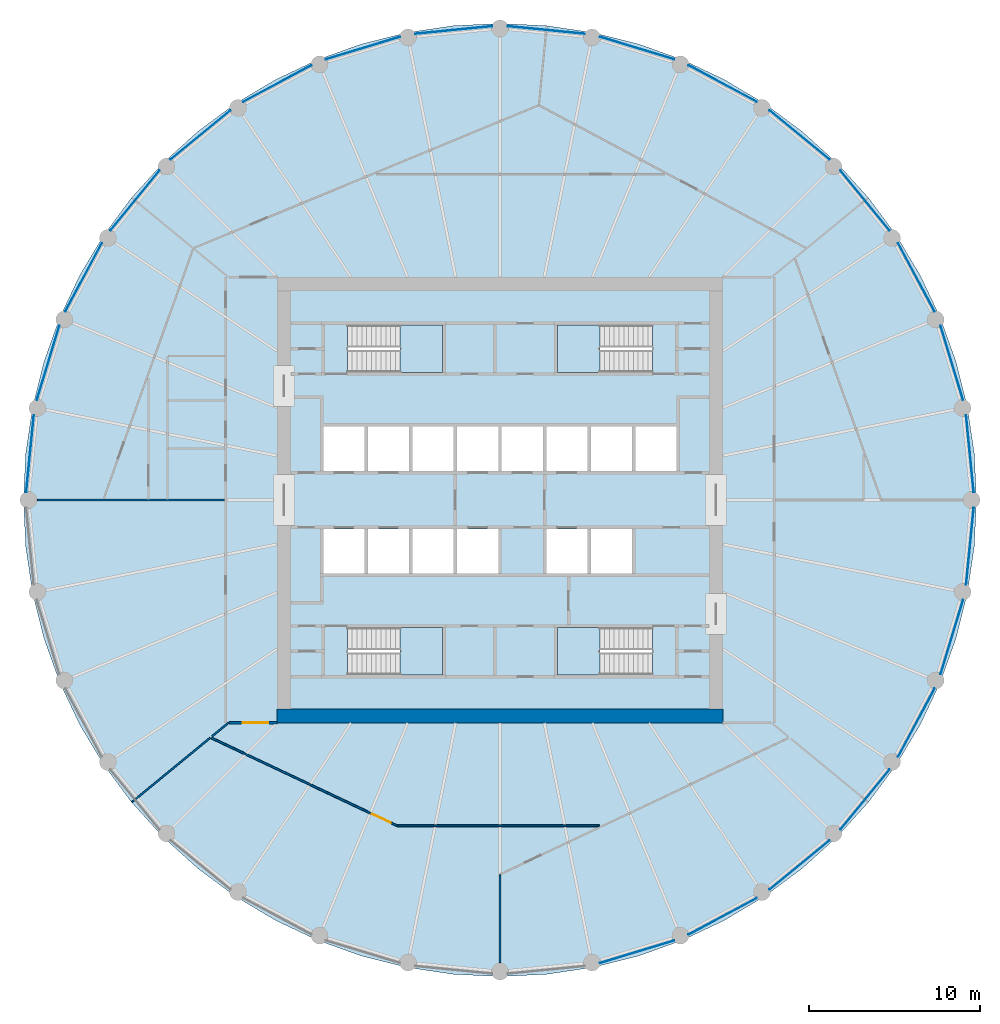
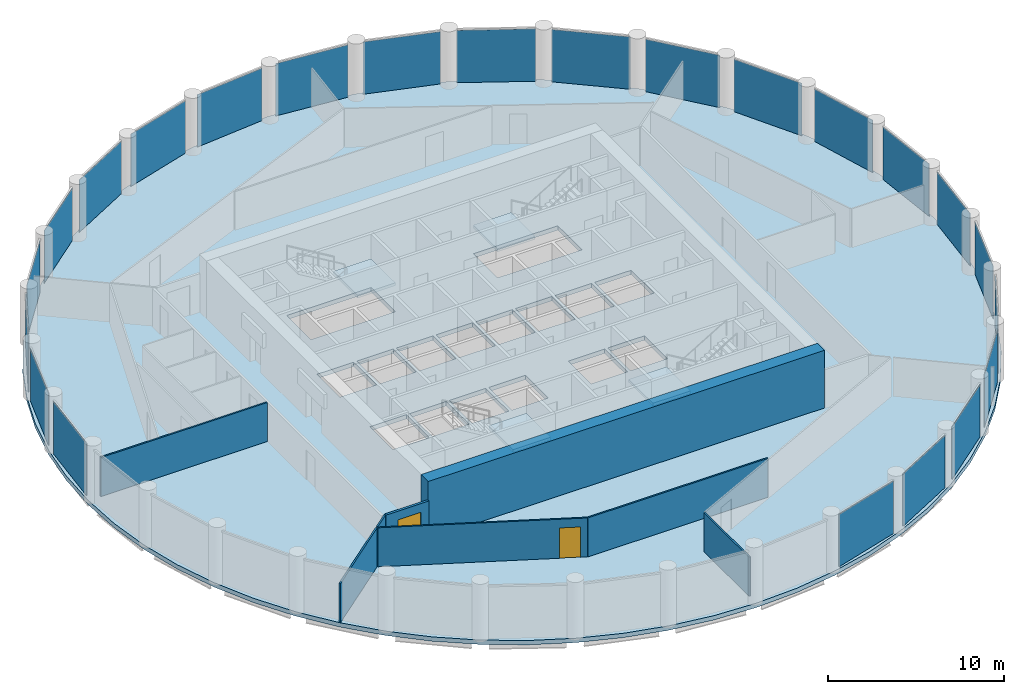
# One storey, part 3 of 8: 23 plates, 8 walls, 5 slabs, 2 doors, 2 openings, 27 elements without a shape of their own.
"""IFC4 building model written with IfcOpenShell, lengths in metres."""

from ifc_helpers import new_model, si_unit, direction, frame, frame_2d, origin, origin_2d, place, context, subcontext, project, spatial, polyline, rectangle, outline, extrude, material, layer, layer_set, type_object, element, fill, aggregate, save


model = new_model("IFC4")

# Units and contexts
model_context = context("Model", 3, precision=1e-05, world=origin(), true_north=direction((0.0, 1.0)))
body_context = subcontext(model_context, "Body", "Model", "MODEL_VIEW")
ifc_project = project(units=[si_unit("LENGTHUNIT", "METRE"), si_unit("AREAUNIT", "SQUARE_METRE"), si_unit("VOLUMEUNIT", "CUBIC_METRE"), si_unit("PLANEANGLEUNIT", "RADIAN"), si_unit("MASSUNIT", "GRAM", prefix="KILO")], contexts=[model_context])

# Site, building, storey
site_placement = place(None, origin())
site = spatial("IfcSite", under=ifc_project, at=site_placement, CompositionType="ELEMENT")
building_placement = place(site_placement, origin())
building = spatial("IfcBuilding", under=site, at=building_placement, Name="Corvane Civic Tower", CompositionType="ELEMENT")
storey_placement = place(building_placement, frame((0.0, 0.0, 237.5)))
storey = spatial("IfcBuildingStorey", under=building, at=storey_placement, Name="L56", CompositionType="ELEMENT", Elevation=237.5)

# Slab
ifc_material_1 = material(Name="Concrete C40/50", Category="concrete")
ifc_layer_1 = layer(ifc_material_1, 0.300048828125)
ifc_layer_set_1 = layer_set([ifc_layer_1], Name="Concrete C40/50")
slab_type_1 = type_object("IfcSlabType", Name="FLOOR SLAB 300", PredefinedType="FLOOR", material=ifc_layer_set_1)
slab_1_placement = place(storey_placement, frame((0.0, 0.0, -0.300048828125)))
element("IfcSlab", 1, at=slab_1_placement, inside=storey, type_object=slab_type_1, Name="SLB-L56", PredefinedType="FLOOR", context=body_context, shape_type="SweptSolid", body=[
    extrude(outline(polyline([(0.0, 27.800048828125), (-2.724853515625, 27.666015625), (-5.423583984375, 27.265869140625), (-8.06982421875, 26.60302734375), (-10.638671875, 25.683837890625), (-13.104736328125, 24.517333984375), (-15.44482421875, 23.11474609375), (-17.63623046875, 21.48974609375), (-19.657470703125, 19.657470703125), (-21.48974609375, 17.63623046875), (-23.11474609375, 15.44482421875), (-24.517333984375, 13.104736328125), (-25.683837890625, 10.638671875), (-26.60302734375, 8.06982421875), (-27.265869140625, 5.423583984375), (-27.666015625, 2.724853515625), (-27.800048828125, 0.0), (-27.666015625, -2.724853515625), (-27.265869140625, -5.423583984375), (-26.60302734375, -8.06982421875), (-25.683837890625, -10.638671875), (-24.517333984375, -13.104736328125), (-23.11474609375, -15.44482421875), (-21.48974609375, -17.63623046875), (-19.657470703125, -19.657470703125), (-17.63623046875, -21.48974609375), (-15.44482421875, -23.11474609375), (-13.104736328125, -24.517333984375), (-10.638671875, -25.683837890625), (-8.06982421875, -26.60302734375), (-5.423583984375, -27.265869140625), (-2.724853515625, -27.666015625), (0.0, -27.800048828125), (2.724853515625, -27.666015625), (5.423583984375, -27.265869140625), (8.06982421875, -26.60302734375), (10.638671875, -25.683837890625), (13.104736328125, -24.517333984375), (15.44482421875, -23.11474609375), (17.63623046875, -21.48974609375), (19.657470703125, -19.657470703125), (21.48974609375, -17.63623046875), (23.11474609375, -15.44482421875), (24.517333984375, -13.104736328125), (25.683837890625, -10.638671875), (26.60302734375, -8.06982421875), (27.265869140625, -5.423583984375), (27.666015625, -2.724853515625), (27.800048828125, 0.0), (27.666015625, 2.724853515625), (27.265869140625, 5.423583984375), (26.60302734375, 8.06982421875), (25.683837890625, 10.638671875), (24.517333984375, 13.104736328125), (23.11474609375, 15.44482421875), (21.48974609375, 17.63623046875), (19.657470703125, 19.657470703125), (17.63623046875, 21.48974609375), (15.44482421875, 23.11474609375), (13.104736328125, 24.517333984375), (10.638671875, 25.683837890625), (8.06982421875, 26.60302734375), (5.423583984375, 27.265869140625), (2.724853515625, 27.666015625), (0.0, 27.800048828125)]), holes=[polyline([(-10.300048828125, 4.300048828125), (-7.89990234375, 4.300048828125), (-7.89990234375, 1.699951171875), (-10.300048828125, 1.699951171875), (-10.300048828125, 4.300048828125)]), polyline([(-5.300048828125, 1.699951171875), (-7.699951171875, 1.699951171875), (-7.699951171875, 4.300048828125), (-5.300048828125, 4.300048828125), (-5.300048828125, 1.699951171875)]), polyline([(-5.10009765625, 4.300048828125), (-2.699951171875, 4.300048828125), (-2.699951171875, 1.699951171875), (-5.10009765625, 1.699951171875), (-5.10009765625, 4.300048828125)]), polyline([(-0.10009765625, 4.300048828125), (-0.10009765625, 1.699951171875), (-2.5, 1.699951171875), (-2.5, 4.300048828125), (-0.10009765625, 4.300048828125)]), polyline([(2.5, 4.300048828125), (2.5, 1.699951171875), (0.10009765625, 1.699951171875), (0.10009765625, 4.300048828125), (2.5, 4.300048828125)]), polyline([(2.699951171875, 4.300048828125), (5.10009765625, 4.300048828125), (5.10009765625, 1.699951171875), (2.699951171875, 1.699951171875), (2.699951171875, 4.300048828125)]), polyline([(5.300048828125, 4.300048828125), (7.699951171875, 4.300048828125), (7.699951171875, 1.699951171875), (5.300048828125, 1.699951171875), (5.300048828125, 4.300048828125)]), polyline([(7.89990234375, 4.300048828125), (10.300048828125, 4.300048828125), (10.300048828125, 1.699951171875), (7.89990234375, 1.699951171875), (7.89990234375, 4.300048828125)]), polyline([(-10.300048828125, -4.300048828125), (-10.300048828125, -1.699951171875), (-7.89990234375, -1.699951171875), (-7.89990234375, -4.300048828125), (-10.300048828125, -4.300048828125)]), polyline([(-5.300048828125, -1.699951171875), (-5.300048828125, -4.300048828125), (-7.699951171875, -4.300048828125), (-7.699951171875, -1.699951171875), (-5.300048828125, -1.699951171875)]), polyline([(-5.10009765625, -4.300048828125), (-5.10009765625, -1.699951171875), (-2.699951171875, -1.699951171875), (-2.699951171875, -4.300048828125), (-5.10009765625, -4.300048828125)]), polyline([(-0.10009765625, -1.699951171875), (-0.10009765625, -4.300048828125), (-2.5, -4.300048828125), (-2.5, -1.699951171875), (-0.10009765625, -1.699951171875)]), polyline([(5.10009765625, -1.699951171875), (5.10009765625, -4.300048828125), (2.699951171875, -4.300048828125), (2.699951171875, -1.699951171875), (5.10009765625, -1.699951171875)]), polyline([(7.699951171875, -1.699951171875), (7.699951171875, -4.300048828125), (5.300048828125, -4.300048828125), (5.300048828125, -1.699951171875), (7.699951171875, -1.699951171875)]), polyline([(8.889892578125, 10.199951171875), (8.889892578125, 7.449951171875), (3.35009765625, 7.449951171875), (3.35009765625, 10.199951171875), (8.889892578125, 10.199951171875)]), polyline([(-8.889892578125, 7.449951171875), (-8.889892578125, 10.199951171875), (-3.35009765625, 10.199951171875), (-3.35009765625, 7.449951171875), (-8.889892578125, 7.449951171875)]), polyline([(8.889892578125, -7.449951171875), (8.889892578125, -10.199951171875), (3.35009765625, -10.199951171875), (3.35009765625, -7.449951171875), (8.889892578125, -7.449951171875)]), polyline([(-8.889892578125, -10.199951171875), (-8.889892578125, -7.449951171875), (-3.35009765625, -7.449951171875), (-3.35009765625, -10.199951171875), (-8.889892578125, -10.199951171875)])]), origin(), (0.0, 0.0, 1.0), 0.300048828125),
])

# Stair, slab
ifc_material_2 = material(Name="Concrete C40/50", Category="concrete")
stair_type = type_object("IfcStairType", Name="ST-STAIR-HALFTURN", PredefinedType="HALF_TURN_STAIR", material=ifc_material_2)
stair_1_placement = place(storey_placement, origin())
stair_1 = element("IfcStair", 2, at=stair_1_placement, inside=storey, type_object=stair_type, Name="L56 Exit stair ST1", PredefinedType="HALF_TURN_STAIR")
ifc_material_3 = material(Name="Concrete C40/50", Category="concrete")
ifc_layer_2 = layer(ifc_material_3, 0.199951171875)
ifc_layer_set_2 = layer_set([ifc_layer_2], Name="Concrete C40/50")
slab_type_2 = type_object("IfcSlabType", Name="ST-LANDING-RC", PredefinedType="LANDING", material=ifc_layer_set_2)
slab_2_placement = place(storey_placement, frame((0.0, 0.0, 1.800048828125)))
slab_2 = element("IfcSlab", 3, at=slab_2_placement, type_object=slab_type_2, Name="ST1 landing 1", PredefinedType="LANDING", context=body_context, shape_type="SweptSolid", body=[
    extrude(outline(polyline([(5.820068359375, 10.199951171875), (3.35009765625, 10.199951171875), (3.35009765625, 7.449951171875), (5.820068359375, 7.449951171875), (5.820068359375, 10.199951171875)])), origin(), (0.0, 0.0, 1.0), 0.199951171875),
])
aggregate(stair_1, [slab_2])

stair_2_placement = place(storey_placement, origin())
stair_2 = element("IfcStair", 4, at=stair_2_placement, inside=storey, type_object=stair_type, Name="L56 Exit stair ST2", PredefinedType="HALF_TURN_STAIR")
slab_3_placement = place(storey_placement, frame((0.0, 0.0, 1.800048828125)))
slab_3 = element("IfcSlab", 5, at=slab_3_placement, type_object=slab_type_2, Name="ST2 landing 1", PredefinedType="LANDING", context=body_context, shape_type="SweptSolid", body=[
    extrude(outline(polyline([(5.820068359375, -7.449951171875), (3.35009765625, -7.449951171875), (3.35009765625, -10.199951171875), (5.820068359375, -10.199951171875), (5.820068359375, -7.449951171875)])), origin(), (0.0, 0.0, 1.0), 0.199951171875),
])
aggregate(stair_2, [slab_3])

stair_3_placement = place(storey_placement, origin())
stair_3 = element("IfcStair", 6, at=stair_3_placement, inside=storey, type_object=stair_type, Name="L56 Exit stair ST3", PredefinedType="HALF_TURN_STAIR")
slab_4_placement = place(storey_placement, frame((0.0, 0.0, 1.800048828125)))
slab_4 = element("IfcSlab", 7, at=slab_4_placement, type_object=slab_type_2, Name="ST3 landing 1", PredefinedType="LANDING", context=body_context, shape_type="SweptSolid", body=[
    extrude(outline(polyline([(-5.820068359375, -10.199951171875), (-3.35009765625, -10.199951171875), (-3.35009765625, -7.449951171875), (-5.820068359375, -7.449951171875), (-5.820068359375, -10.199951171875)])), origin(), (0.0, 0.0, 1.0), 0.199951171875),
])
aggregate(stair_3, [slab_4])

stair_4_placement = place(storey_placement, origin())
stair_4 = element("IfcStair", 8, at=stair_4_placement, inside=storey, type_object=stair_type, Name="L56 Exit stair ST4", PredefinedType="HALF_TURN_STAIR")
slab_5_placement = place(storey_placement, frame((0.0, 0.0, 1.800048828125)))
slab_5 = element("IfcSlab", 9, at=slab_5_placement, type_object=slab_type_2, Name="ST4 landing 1", PredefinedType="LANDING", context=body_context, shape_type="SweptSolid", body=[
    extrude(outline(polyline([(-5.820068359375, 7.449951171875), (-3.35009765625, 7.449951171875), (-3.35009765625, 10.199951171875), (-5.820068359375, 10.199951171875), (-5.820068359375, 7.449951171875)])), origin(), (0.0, 0.0, 1.0), 0.199951171875),
])
aggregate(stair_4, [slab_5])

# Curtain wall, plate
ifc_material_4 = material(Name="Anodised aluminium bronze", Category="aluminium")
curtain_wall_type = type_object("IfcCurtainWallType", Name="TOWER CW-T2 STICK CURTAIN WALL", PredefinedType="NOTDEFINED", material=ifc_material_4)
curtain_wall_1_placement = place(storey_placement, origin())
curtain_wall_1 = element("IfcCurtainWall", 10, at=curtain_wall_1_placement, inside=storey, type_object=curtain_wall_type, Name="Curtain wall CW-T2 L56 bay 01", PredefinedType="NOTDEFINED")
ifc_material_5 = material(Name="Tinted glass", Category="glass")
ifc_layer_3 = layer(ifc_material_5, 0.031982421875)
ifc_layer_set_3 = layer_set([ifc_layer_3], Name="Tinted glass")
plate_type = type_object("IfcPlateType", Name="TOWER CW-T2 PANEL IGU32", PredefinedType="CURTAIN_PANEL", material=ifc_layer_set_3)
plate_1_placement = place(storey_placement, frame((2.699951171875, 27.4140625, 0.0), z_axis=(0.0, 0.0, 1.0), x_axis=(0.995187058378, -0.097993463235, 0.0)))
plate_1 = element("IfcPlate", 11, at=plate_1_placement, type_object=plate_type, Name="Glass panel CW-T2 L56 01.1", PredefinedType="CURTAIN_PANEL", context=body_context, shape_type="SweptSolid", body=[
    extrude(rectangle(XDim=4.517333984375, YDim=0.031982421875, at=origin_2d()), origin(), (0.0, 0.0, 1.0), 3.6298828125),
])
aggregate(curtain_wall_1, [plate_1])

curtain_wall_2_placement = place(storey_placement, origin())
curtain_wall_2 = element("IfcCurtainWall", 12, at=curtain_wall_2_placement, inside=storey, type_object=curtain_wall_type, Name="Curtain wall CW-T2 L56 bay 02", PredefinedType="NOTDEFINED")
plate_2_placement = place(storey_placement, frame((7.996337890625, 26.360595703125, 0.0), z_axis=(0.0, 0.0, 1.0), x_axis=(0.956938843612, -0.290289596069, 0.0)))
plate_2 = element("IfcPlate", 13, at=plate_2_placement, type_object=plate_type, Name="Glass panel CW-T2 L56 02.1", PredefinedType="CURTAIN_PANEL", context=body_context, shape_type="SweptSolid", body=[
    extrude(rectangle(XDim=4.517333984375, YDim=0.031982421875, at=origin_2d()), origin(), (0.0, 0.0, 1.0), 3.6298828125),
])
aggregate(curtain_wall_2, [plate_2])

curtain_wall_3_placement = place(storey_placement, origin())
curtain_wall_3 = element("IfcCurtainWall", 14, at=curtain_wall_3_placement, inside=storey, type_object=curtain_wall_type, Name="Curtain wall CW-T2 L56 bay 03", PredefinedType="NOTDEFINED")
plate_3_placement = place(storey_placement, frame((12.9853515625, 24.294189453125, 0.0), z_axis=(0.0, 0.0, 1.0), x_axis=(0.881920381001, -0.471398389449, 0.0)))
plate_3 = element("IfcPlate", 15, at=plate_3_placement, type_object=plate_type, Name="Glass panel CW-T2 L56 03.1", PredefinedType="CURTAIN_PANEL", context=body_context, shape_type="SweptSolid", body=[
    extrude(rectangle(XDim=4.517333984375, YDim=0.031982421875, at=origin_2d()), origin(), (0.0, 0.0, 1.0), 3.6298828125),
])
aggregate(curtain_wall_3, [plate_3])

curtain_wall_4_placement = place(storey_placement, origin())
curtain_wall_4 = element("IfcCurtainWall", 16, at=curtain_wall_4_placement, inside=storey, type_object=curtain_wall_type, Name="Curtain wall CW-T2 L56 bay 04", PredefinedType="NOTDEFINED")
plate_4_placement = place(storey_placement, frame((17.475341796875, 21.2939453125, 0.0), z_axis=(0.0, 0.0, 1.0), x_axis=(0.773012269331, -0.634391071394, 0.0)))
plate_4 = element("IfcPlate", 17, at=plate_4_placement, type_object=plate_type, Name="Glass panel CW-T2 L56 04.1", PredefinedType="CURTAIN_PANEL", context=body_context, shape_type="SweptSolid", body=[
    extrude(rectangle(XDim=4.517333984375, YDim=0.031982421875, at=origin_2d()), origin(), (0.0, 0.0, 1.0), 3.6298828125),
])
aggregate(curtain_wall_4, [plate_4])

curtain_wall_5_placement = place(storey_placement, origin())
curtain_wall_5 = element("IfcCurtainWall", 18, at=curtain_wall_5_placement, inside=storey, type_object=curtain_wall_type, Name="Curtain wall CW-T2 L56 bay 05", PredefinedType="NOTDEFINED")
plate_5_placement = place(storey_placement, frame((21.2939453125, 17.475341796875, 0.0), z_axis=(0.0, 0.0, 1.0), x_axis=(0.634391071394, -0.773012269331, 0.0)))
plate_5 = element("IfcPlate", 19, at=plate_5_placement, type_object=plate_type, Name="Glass panel CW-T2 L56 05.1", PredefinedType="CURTAIN_PANEL", context=body_context, shape_type="SweptSolid", body=[
    extrude(rectangle(XDim=4.517333984375, YDim=0.031982421875, at=origin_2d()), origin(), (0.0, 0.0, 1.0), 3.6298828125),
])
aggregate(curtain_wall_5, [plate_5])

curtain_wall_6_placement = place(storey_placement, origin())
curtain_wall_6 = element("IfcCurtainWall", 20, at=curtain_wall_6_placement, inside=storey, type_object=curtain_wall_type, Name="Curtain wall CW-T2 L56 bay 06", PredefinedType="NOTDEFINED")
plate_6_placement = place(storey_placement, frame((24.294189453125, 12.9853515625, 0.0), z_axis=(0.0, 0.0, 1.0), x_axis=(0.471398389449, -0.881920381001, 0.0)))
plate_6 = element("IfcPlate", 21, at=plate_6_placement, type_object=plate_type, Name="Glass panel CW-T2 L56 06.1", PredefinedType="CURTAIN_PANEL", context=body_context, shape_type="SweptSolid", body=[
    extrude(rectangle(XDim=4.517333984375, YDim=0.031982421875, at=origin_2d()), origin(), (0.0, 0.0, 1.0), 3.6298828125),
])
aggregate(curtain_wall_6, [plate_6])

curtain_wall_7_placement = place(storey_placement, origin())
curtain_wall_7 = element("IfcCurtainWall", 22, at=curtain_wall_7_placement, inside=storey, type_object=curtain_wall_type, Name="Curtain wall CW-T2 L56 bay 07", PredefinedType="NOTDEFINED")
plate_7_placement = place(storey_placement, frame((26.360595703125, 7.996337890625, 0.0), z_axis=(0.0, 0.0, 1.0), x_axis=(0.290289596069, -0.956938843612, 0.0)))
plate_7 = element("IfcPlate", 23, at=plate_7_placement, type_object=plate_type, Name="Glass panel CW-T2 L56 07.1", PredefinedType="CURTAIN_PANEL", context=body_context, shape_type="SweptSolid", body=[
    extrude(rectangle(XDim=4.517333984375, YDim=0.031982421875, at=origin_2d()), origin(), (0.0, 0.0, 1.0), 3.6298828125),
])
aggregate(curtain_wall_7, [plate_7])

curtain_wall_8_placement = place(storey_placement, origin())
curtain_wall_8 = element("IfcCurtainWall", 24, at=curtain_wall_8_placement, inside=storey, type_object=curtain_wall_type, Name="Curtain wall CW-T2 L56 bay 08", PredefinedType="NOTDEFINED")
plate_8_placement = place(storey_placement, frame((27.4140625, 2.699951171875, 0.0), z_axis=(0.0, 0.0, 1.0), x_axis=(0.097993463235, -0.995187058378, 0.0)))
plate_8 = element("IfcPlate", 25, at=plate_8_placement, type_object=plate_type, Name="Glass panel CW-T2 L56 08.1", PredefinedType="CURTAIN_PANEL", context=body_context, shape_type="SweptSolid", body=[
    extrude(rectangle(XDim=4.517333984375, YDim=0.031982421875, at=origin_2d()), origin(), (0.0, 0.0, 1.0), 3.6298828125),
])
aggregate(curtain_wall_8, [plate_8])

curtain_wall_9_placement = place(storey_placement, origin())
curtain_wall_9 = element("IfcCurtainWall", 26, at=curtain_wall_9_placement, inside=storey, type_object=curtain_wall_type, Name="Curtain wall CW-T2 L56 bay 09", PredefinedType="NOTDEFINED")
plate_9_placement = place(storey_placement, frame((27.4140625, -2.699951171875, 0.0), z_axis=(0.0, 0.0, 1.0), x_axis=(-0.097993463235, -0.995187058378, 0.0)))
plate_9 = element("IfcPlate", 27, at=plate_9_placement, type_object=plate_type, Name="Glass panel CW-T2 L56 09.1", PredefinedType="CURTAIN_PANEL", context=body_context, shape_type="SweptSolid", body=[
    extrude(rectangle(XDim=4.517333984375, YDim=0.031982421875, at=origin_2d()), origin(), (0.0, 0.0, 1.0), 3.6298828125),
])
aggregate(curtain_wall_9, [plate_9])

curtain_wall_10_placement = place(storey_placement, origin())
curtain_wall_10 = element("IfcCurtainWall", 28, at=curtain_wall_10_placement, inside=storey, type_object=curtain_wall_type, Name="Curtain wall CW-T2 L56 bay 10", PredefinedType="NOTDEFINED")
plate_10_placement = place(storey_placement, frame((26.360595703125, -7.996337890625, 0.0), z_axis=(0.0, 0.0, 1.0), x_axis=(-0.290289596069, -0.956938843612, 0.0)))
plate_10 = element("IfcPlate", 29, at=plate_10_placement, type_object=plate_type, Name="Glass panel CW-T2 L56 10.1", PredefinedType="CURTAIN_PANEL", context=body_context, shape_type="SweptSolid", body=[
    extrude(rectangle(XDim=4.517333984375, YDim=0.031982421875, at=origin_2d()), origin(), (0.0, 0.0, 1.0), 3.6298828125),
])
aggregate(curtain_wall_10, [plate_10])

curtain_wall_11_placement = place(storey_placement, origin())
curtain_wall_11 = element("IfcCurtainWall", 30, at=curtain_wall_11_placement, inside=storey, type_object=curtain_wall_type, Name="Curtain wall CW-T2 L56 bay 11", PredefinedType="NOTDEFINED")
plate_11_placement = place(storey_placement, frame((24.294189453125, -12.9853515625, 0.0), z_axis=(0.0, 0.0, 1.0), x_axis=(-0.471398389449, -0.881920381001, 0.0)))
plate_11 = element("IfcPlate", 31, at=plate_11_placement, type_object=plate_type, Name="Glass panel CW-T2 L56 11.1", PredefinedType="CURTAIN_PANEL", context=body_context, shape_type="SweptSolid", body=[
    extrude(rectangle(XDim=4.517333984375, YDim=0.031982421875, at=origin_2d()), origin(), (0.0, 0.0, 1.0), 3.6298828125),
])
aggregate(curtain_wall_11, [plate_11])

curtain_wall_12_placement = place(storey_placement, origin())
curtain_wall_12 = element("IfcCurtainWall", 32, at=curtain_wall_12_placement, inside=storey, type_object=curtain_wall_type, Name="Curtain wall CW-T2 L56 bay 12", PredefinedType="NOTDEFINED")
plate_12_placement = place(storey_placement, frame((21.2939453125, -17.475341796875, 0.0), z_axis=(0.0, 0.0, 1.0), x_axis=(-0.634391071394, -0.773012269331, 0.0)))
plate_12 = element("IfcPlate", 33, at=plate_12_placement, type_object=plate_type, Name="Glass panel CW-T2 L56 12.1", PredefinedType="CURTAIN_PANEL", context=body_context, shape_type="SweptSolid", body=[
    extrude(rectangle(XDim=4.517333984375, YDim=0.031982421875, at=origin_2d()), origin(), (0.0, 0.0, 1.0), 3.6298828125),
])
aggregate(curtain_wall_12, [plate_12])

curtain_wall_13_placement = place(storey_placement, origin())
curtain_wall_13 = element("IfcCurtainWall", 34, at=curtain_wall_13_placement, inside=storey, type_object=curtain_wall_type, Name="Curtain wall CW-T2 L56 bay 13", PredefinedType="NOTDEFINED")
plate_13_placement = place(storey_placement, frame((17.475341796875, -21.2939453125, 0.0), z_axis=(0.0, 0.0, 1.0), x_axis=(-0.773012269331, -0.634391071394, 0.0)))
plate_13 = element("IfcPlate", 35, at=plate_13_placement, type_object=plate_type, Name="Glass panel CW-T2 L56 13.1", PredefinedType="CURTAIN_PANEL", context=body_context, shape_type="SweptSolid", body=[
    extrude(rectangle(XDim=4.517333984375, YDim=0.031982421875, at=origin_2d()), origin(), (0.0, 0.0, 1.0), 3.6298828125),
])
aggregate(curtain_wall_13, [plate_13])

curtain_wall_14_placement = place(storey_placement, origin())
curtain_wall_14 = element("IfcCurtainWall", 36, at=curtain_wall_14_placement, inside=storey, type_object=curtain_wall_type, Name="Curtain wall CW-T2 L56 bay 14", PredefinedType="NOTDEFINED")
plate_14_placement = place(storey_placement, frame((12.9853515625, -24.294189453125, 0.0), z_axis=(0.0, 0.0, 1.0), x_axis=(-0.881920381001, -0.471398389449, 0.0)))
plate_14 = element("IfcPlate", 37, at=plate_14_placement, type_object=plate_type, Name="Glass panel CW-T2 L56 14.1", PredefinedType="CURTAIN_PANEL", context=body_context, shape_type="SweptSolid", body=[
    extrude(rectangle(XDim=4.517333984375, YDim=0.031982421875, at=origin_2d()), origin(), (0.0, 0.0, 1.0), 3.6298828125),
])
aggregate(curtain_wall_14, [plate_14])

curtain_wall_15_placement = place(storey_placement, origin())
curtain_wall_15 = element("IfcCurtainWall", 38, at=curtain_wall_15_placement, inside=storey, type_object=curtain_wall_type, Name="Curtain wall CW-T2 L56 bay 15", PredefinedType="NOTDEFINED")
plate_15_placement = place(storey_placement, frame((7.996337890625, -26.360595703125, 0.0), z_axis=(0.0, 0.0, 1.0), x_axis=(-0.956938843612, -0.290289596069, 0.0)))
plate_15 = element("IfcPlate", 39, at=plate_15_placement, type_object=plate_type, Name="Glass panel CW-T2 L56 15.1", PredefinedType="CURTAIN_PANEL", context=body_context, shape_type="SweptSolid", body=[
    extrude(rectangle(XDim=4.517333984375, YDim=0.031982421875, at=origin_2d()), origin(), (0.0, 0.0, 1.0), 3.6298828125),
])
aggregate(curtain_wall_15, [plate_15])

curtain_wall_16_placement = place(storey_placement, origin())
curtain_wall_16 = element("IfcCurtainWall", 40, at=curtain_wall_16_placement, inside=storey, type_object=curtain_wall_type, Name="Curtain wall CW-T2 L56 bay 25", PredefinedType="NOTDEFINED")
plate_16_placement = place(storey_placement, frame((-27.4140625, 2.699951171875, 0.0), z_axis=(0.0, 0.0, 1.0), x_axis=(0.097993463235, 0.995187058378, 0.0)))
plate_16 = element("IfcPlate", 41, at=plate_16_placement, type_object=plate_type, Name="Glass panel CW-T2 L56 25.1", PredefinedType="CURTAIN_PANEL", context=body_context, shape_type="SweptSolid", body=[
    extrude(rectangle(XDim=4.517333984375, YDim=0.031982421875, at=origin_2d()), origin(), (0.0, 0.0, 1.0), 3.6298828125),
])
aggregate(curtain_wall_16, [plate_16])

curtain_wall_17_placement = place(storey_placement, origin())
curtain_wall_17 = element("IfcCurtainWall", 42, at=curtain_wall_17_placement, inside=storey, type_object=curtain_wall_type, Name="Curtain wall CW-T2 L56 bay 26", PredefinedType="NOTDEFINED")
plate_17_placement = place(storey_placement, frame((-26.360595703125, 7.996337890625, 0.0), z_axis=(0.0, 0.0, 1.0), x_axis=(0.290289596069, 0.956938843612, 0.0)))
plate_17 = element("IfcPlate", 43, at=plate_17_placement, type_object=plate_type, Name="Glass panel CW-T2 L56 26.1", PredefinedType="CURTAIN_PANEL", context=body_context, shape_type="SweptSolid", body=[
    extrude(rectangle(XDim=4.517333984375, YDim=0.031982421875, at=origin_2d()), origin(), (0.0, 0.0, 1.0), 3.6298828125),
])
aggregate(curtain_wall_17, [plate_17])

curtain_wall_18_placement = place(storey_placement, origin())
curtain_wall_18 = element("IfcCurtainWall", 44, at=curtain_wall_18_placement, inside=storey, type_object=curtain_wall_type, Name="Curtain wall CW-T2 L56 bay 27", PredefinedType="NOTDEFINED")
plate_18_placement = place(storey_placement, frame((-24.294189453125, 12.9853515625, 0.0), z_axis=(0.0, 0.0, 1.0), x_axis=(0.471398389449, 0.881920381001, 0.0)))
plate_18 = element("IfcPlate", 45, at=plate_18_placement, type_object=plate_type, Name="Glass panel CW-T2 L56 27.1", PredefinedType="CURTAIN_PANEL", context=body_context, shape_type="SweptSolid", body=[
    extrude(rectangle(XDim=4.517333984375, YDim=0.031982421875, at=origin_2d()), origin(), (0.0, 0.0, 1.0), 3.6298828125),
])
aggregate(curtain_wall_18, [plate_18])

curtain_wall_19_placement = place(storey_placement, origin())
curtain_wall_19 = element("IfcCurtainWall", 46, at=curtain_wall_19_placement, inside=storey, type_object=curtain_wall_type, Name="Curtain wall CW-T2 L56 bay 28", PredefinedType="NOTDEFINED")
plate_19_placement = place(storey_placement, frame((-21.2939453125, 17.475341796875, 0.0), z_axis=(0.0, 0.0, 1.0), x_axis=(0.634391071394, 0.773012269331, 0.0)))
plate_19 = element("IfcPlate", 47, at=plate_19_placement, type_object=plate_type, Name="Glass panel CW-T2 L56 28.1", PredefinedType="CURTAIN_PANEL", context=body_context, shape_type="SweptSolid", body=[
    extrude(rectangle(XDim=4.517333984375, YDim=0.031982421875, at=origin_2d()), origin(), (0.0, 0.0, 1.0), 3.6298828125),
])
aggregate(curtain_wall_19, [plate_19])

curtain_wall_20_placement = place(storey_placement, origin())
curtain_wall_20 = element("IfcCurtainWall", 48, at=curtain_wall_20_placement, inside=storey, type_object=curtain_wall_type, Name="Curtain wall CW-T2 L56 bay 29", PredefinedType="NOTDEFINED")
plate_20_placement = place(storey_placement, frame((-17.475341796875, 21.2939453125, 0.0), z_axis=(0.0, 0.0, 1.0), x_axis=(0.773012269331, 0.634391071394, 0.0)))
plate_20 = element("IfcPlate", 49, at=plate_20_placement, type_object=plate_type, Name="Glass panel CW-T2 L56 29.1", PredefinedType="CURTAIN_PANEL", context=body_context, shape_type="SweptSolid", body=[
    extrude(rectangle(XDim=4.517333984375, YDim=0.031982421875, at=origin_2d()), origin(), (0.0, 0.0, 1.0), 3.6298828125),
])
aggregate(curtain_wall_20, [plate_20])

curtain_wall_21_placement = place(storey_placement, origin())
curtain_wall_21 = element("IfcCurtainWall", 50, at=curtain_wall_21_placement, inside=storey, type_object=curtain_wall_type, Name="Curtain wall CW-T2 L56 bay 30", PredefinedType="NOTDEFINED")
plate_21_placement = place(storey_placement, frame((-12.9853515625, 24.294189453125, 0.0), z_axis=(0.0, 0.0, 1.0), x_axis=(0.881920381001, 0.471398389449, 0.0)))
plate_21 = element("IfcPlate", 51, at=plate_21_placement, type_object=plate_type, Name="Glass panel CW-T2 L56 30.1", PredefinedType="CURTAIN_PANEL", context=body_context, shape_type="SweptSolid", body=[
    extrude(rectangle(XDim=4.517333984375, YDim=0.031982421875, at=origin_2d()), origin(), (0.0, 0.0, 1.0), 3.6298828125),
])
aggregate(curtain_wall_21, [plate_21])

curtain_wall_22_placement = place(storey_placement, origin())
curtain_wall_22 = element("IfcCurtainWall", 52, at=curtain_wall_22_placement, inside=storey, type_object=curtain_wall_type, Name="Curtain wall CW-T2 L56 bay 31", PredefinedType="NOTDEFINED")
plate_22_placement = place(storey_placement, frame((-7.996337890625, 26.360595703125, 0.0), z_axis=(0.0, 0.0, 1.0), x_axis=(0.956938843612, 0.290289596069, 0.0)))
plate_22 = element("IfcPlate", 53, at=plate_22_placement, type_object=plate_type, Name="Glass panel CW-T2 L56 31.1", PredefinedType="CURTAIN_PANEL", context=body_context, shape_type="SweptSolid", body=[
    extrude(rectangle(XDim=4.517333984375, YDim=0.031982421875, at=origin_2d()), origin(), (0.0, 0.0, 1.0), 3.6298828125),
])
aggregate(curtain_wall_22, [plate_22])

curtain_wall_23_placement = place(storey_placement, origin())
curtain_wall_23 = element("IfcCurtainWall", 54, at=curtain_wall_23_placement, inside=storey, type_object=curtain_wall_type, Name="Curtain wall CW-T2 L56 bay 32", PredefinedType="NOTDEFINED")
plate_23_placement = place(storey_placement, frame((-2.699951171875, 27.4140625, 0.0), z_axis=(0.0, 0.0, 1.0), x_axis=(0.995187058378, 0.097993463235, 0.0)))
plate_23 = element("IfcPlate", 55, at=plate_23_placement, type_object=plate_type, Name="Glass panel CW-T2 L56 32.1", PredefinedType="CURTAIN_PANEL", context=body_context, shape_type="SweptSolid", body=[
    extrude(rectangle(XDim=4.517333984375, YDim=0.031982421875, at=origin_2d()), origin(), (0.0, 0.0, 1.0), 3.6298828125),
])
aggregate(curtain_wall_23, [plate_23])

# Walls
ifc_material_6 = material(Name="Concrete C50/60", Category="concrete")
ifc_layer_4 = layer(ifc_material_6, 0.800048828125)
ifc_layer_set_4 = layer_set([ifc_layer_4], Name="Concrete C50/60")
wall_type_1 = type_object("IfcWallType", Name="CORE WALL 800 C50/60", PredefinedType="SHEAR", material=ifc_layer_set_4)
wall_1_placement = place(storey_placement, frame((-13.0, -12.60009765625, 0.0), z_axis=(0.0, 0.0, 1.0), x_axis=(1.0, 0.0, 0.0)))
element("IfcWall", 56, at=wall_1_placement, inside=storey, type_object=wall_type_1, Name="W-L56-core-S", PredefinedType="SHEAR", context=body_context, shape_type="SweptSolid", body=[
    extrude(rectangle(XDim=26.0, YDim=0.800048828125, at=frame_2d((13.0, 0.0))), origin(), (0.0, 0.0, 1.0), 4.0),
])
ifc_material_7 = material(Name="Plasterboard")
ifc_layer_5 = layer(ifc_material_7, 0.10009765625)
ifc_layer_set_5 = layer_set([ifc_layer_5], Name="Plasterboard")
wall_type_2 = type_object("IfcWallType", Name="Partition 100 plasterboard on studs", PredefinedType="PARTITIONING", material=ifc_layer_set_5)
wall_2_placement = place(storey_placement, frame((0.0, -26.989990234375, 0.0), z_axis=(0.0, 0.0, 1.0), x_axis=(0.0, 1.0, 0.0)))
element("IfcWall", 57, at=wall_2_placement, inside=storey, type_object=wall_type_2, Name="Partition L56.001", PredefinedType="PARTITIONING", context=body_context, shape_type="SweptSolid", body=[
    extrude(rectangle(XDim=5.115234375, YDim=0.10009765625, at=frame_2d((2.5576171875, 0.0))), origin(), (0.0, 0.0, 1.0), 2.699951171875),
])

# Wall, opening, door
wall_3_placement = place(storey_placement, frame((-16.813720703125, -13.890869140625, 0.0), z_axis=(0.0, 0.0, 1.0), x_axis=(0.903992517298, -0.42754827642, 0.0)))
wall_3 = element("IfcWall", 58, at=wall_3_placement, inside=storey, type_object=wall_type_2, Name="Partition L56.003", PredefinedType="PARTITIONING", context=body_context, shape_type="SweptSolid", body=[
    extrude(rectangle(XDim=11.9384765625, YDim=0.10009765625, at=frame_2d((5.96923828125, 0.0))), origin(), (0.0, 0.0, 1.0), 2.699951171875),
])
opening_1_placement = place(wall_3_placement, frame((10.347412109375, 0.0, 0.0)))
opening_1 = element("IfcOpeningElement", 59, at=opening_1_placement, cuts=wall_3, Name="Opening L56.006", PredefinedType="OPENING", context=body_context, shape_type="SweptSolid", body=[
    extrude(rectangle(XDim=1.199951171875, YDim=2.10009765625, at=frame_2d((0.60009765625, 1.050048828125))), frame((0.0, 0.06005859375, 0.0), z_axis=(0.0, -1.0, 0.0), x_axis=(1.0, 0.0, 0.0)), (0.0, 0.0, 1.0), 0.1201171875),
])
ifc_material_8 = material(Name="Timber", Category="wood")
door_type_1 = type_object("IfcDoorType", Name="Double door 1200", OperationType="NOTDEFINED", PredefinedType="DOOR", material=ifc_material_8)
door_1_placement = place(opening_1_placement, frame((1.199951171875, 0.0, 0.0), z_axis=(0.0, 0.0, 1.0), x_axis=(-1.0, 0.0, 0.0)))
door_1 = element("IfcDoor", 60, at=door_1_placement, inside=storey, type_object=door_type_1, Name="Door L56.006", OperationType="DOUBLE_DOOR_SINGLE_SWING", OverallHeight=2.10009765625, OverallWidth=1.199951171875, PredefinedType="DOOR", context=body_context, shape_type="SweptSolid", body=[
    extrude(rectangle(XDim=1.199951171875, YDim=2.10009765625, at=frame_2d((0.60009765625, 1.050048828125))), frame((0.0, 0.02490234375, 0.0), z_axis=(0.0, -1.0, 0.0), x_axis=(1.0, 0.0, 0.0)), (0.0, 0.0, 1.0), 0.050048828125),
])
fill(opening_1, door_1)

# Walls
wall_4_placement = place(storey_placement, frame((-6.0, -19.0, 0.0), z_axis=(0.0, 0.0, 1.0), x_axis=(1.0, 0.0, 0.0)))
element("IfcWall", 61, at=wall_4_placement, inside=storey, type_object=wall_type_2, Name="Partition L56.004", PredefinedType="PARTITIONING", context=body_context, shape_type="SweptSolid", body=[
    extrude(rectangle(XDim=11.78857421875, YDim=0.10009765625, at=frame_2d((5.894287109375, 0.0))), origin(), (0.0, 0.0, 1.0), 2.699951171875),
])
wall_5_placement = place(storey_placement, frame((-21.451171875, -17.6044921875, 0.0), z_axis=(0.0, 0.0, 1.0), x_axis=(0.773006615465, 0.634397960626, 0.0)))
element("IfcWall", 62, at=wall_5_placement, inside=storey, type_object=wall_type_2, Name="Partition L56.005", PredefinedType="PARTITIONING", context=body_context, shape_type="SweptSolid", body=[
    extrude(rectangle(XDim=5.886474609375, YDim=0.10009765625, at=frame_2d((2.943359375, 0.0))), origin(), (0.0, 0.0, 1.0), 2.699951171875),
])
wall_6_placement = place(storey_placement, frame((-16.796630859375, -13.78466796875, 0.0), z_axis=(0.0, 0.0, 1.0), x_axis=(0.772912170581, 0.634513023167, 0.0)))
element("IfcWall", 63, at=wall_6_placement, inside=storey, type_object=wall_type_2, Name="Partition L56.008", PredefinedType="PARTITIONING", context=body_context, shape_type="SweptSolid", body=[
    extrude(rectangle(XDim=1.218994140625, YDim=0.10009765625, at=frame_2d((0.609375, 0.0))), origin(), (0.0, 0.0, 1.0), 2.699951171875),
])
wall_7_placement = place(storey_placement, frame((-26.989990234375, 0.0, 0.0), z_axis=(0.0, 0.0, 1.0), x_axis=(1.0, 0.0, 0.0)))
element("IfcWall", 64, at=wall_7_placement, inside=storey, type_object=wall_type_2, Name="Partition L56.013", PredefinedType="PARTITIONING", context=body_context, shape_type="SweptSolid", body=[
    extrude(rectangle(XDim=10.9150390625, YDim=0.10009765625, at=frame_2d((5.45751953125, 0.0))), origin(), (0.0, 0.0, 1.0), 2.699951171875),
])

# Wall, opening, door
ifc_material_9 = material(Name="Plasterboard")
ifc_layer_6 = layer(ifc_material_9, 0.14990234375)
ifc_layer_set_6 = layer_set([ifc_layer_6], Name="Plasterboard")
wall_type_3 = type_object("IfcWallType", Name="Tenancy wall 150 EI 60", PredefinedType="PARTITIONING", material=ifc_layer_set_6)
wall_8_placement = place(storey_placement, frame((-15.813720703125, -13.0, 0.0), z_axis=(0.0, 0.0, 1.0), x_axis=(1.0, 0.0, 0.0)))
wall_8 = element("IfcWall", 65, at=wall_8_placement, inside=storey, type_object=wall_type_3, Name="Partition L56.010", PredefinedType="PARTITIONING", context=body_context, shape_type="SweptSolid", body=[
    extrude(rectangle(XDim=2.82373046875, YDim=0.14990234375, at=frame_2d((1.411865234375, 0.0))), origin(), (0.0, 0.0, 1.0), 2.699951171875),
])
opening_2_placement = place(wall_8_placement, frame((0.80126953125, 0.0, 0.0)))
opening_2 = element("IfcOpeningElement", 66, at=opening_2_placement, cuts=wall_8, Name="Opening L56.007", PredefinedType="OPENING", context=body_context, shape_type="SweptSolid", body=[
    extrude(rectangle(XDim=1.5, YDim=2.10009765625, at=frame_2d((0.75, 1.050048828125))), frame((0.0, 0.0849609375, 0.0), z_axis=(0.0, -1.0, 0.0), x_axis=(1.0, 0.0, 0.0)), (0.0, 0.0, 1.0), 0.169921875),
])
ifc_material_10 = material(Name="Steel and timber", Category="steel")
door_type_2 = type_object("IfcDoorType", Name="Fire door FD60 double 1500", OperationType="NOTDEFINED", PredefinedType="DOOR", material=ifc_material_10)
door_2_placement = place(opening_2_placement, frame((1.5, 0.0, 0.0), z_axis=(0.0, 0.0, 1.0), x_axis=(-1.0, 0.0, 0.0)))
door_2 = element("IfcDoor", 67, at=door_2_placement, inside=storey, type_object=door_type_2, Name="Door L56.007", OperationType="DOUBLE_DOOR_SINGLE_SWING", OverallHeight=2.10009765625, OverallWidth=1.5, PredefinedType="DOOR", context=body_context, shape_type="SweptSolid", body=[
    extrude(rectangle(XDim=1.5, YDim=2.10009765625, at=frame_2d((0.75, 1.050048828125))), frame((0.0, 0.02490234375, 0.0), z_axis=(0.0, -1.0, 0.0), x_axis=(1.0, 0.0, 0.0)), (0.0, 0.0, 1.0), 0.050048828125),
])
fill(opening_2, door_2)

save(model, "model.ifc")
